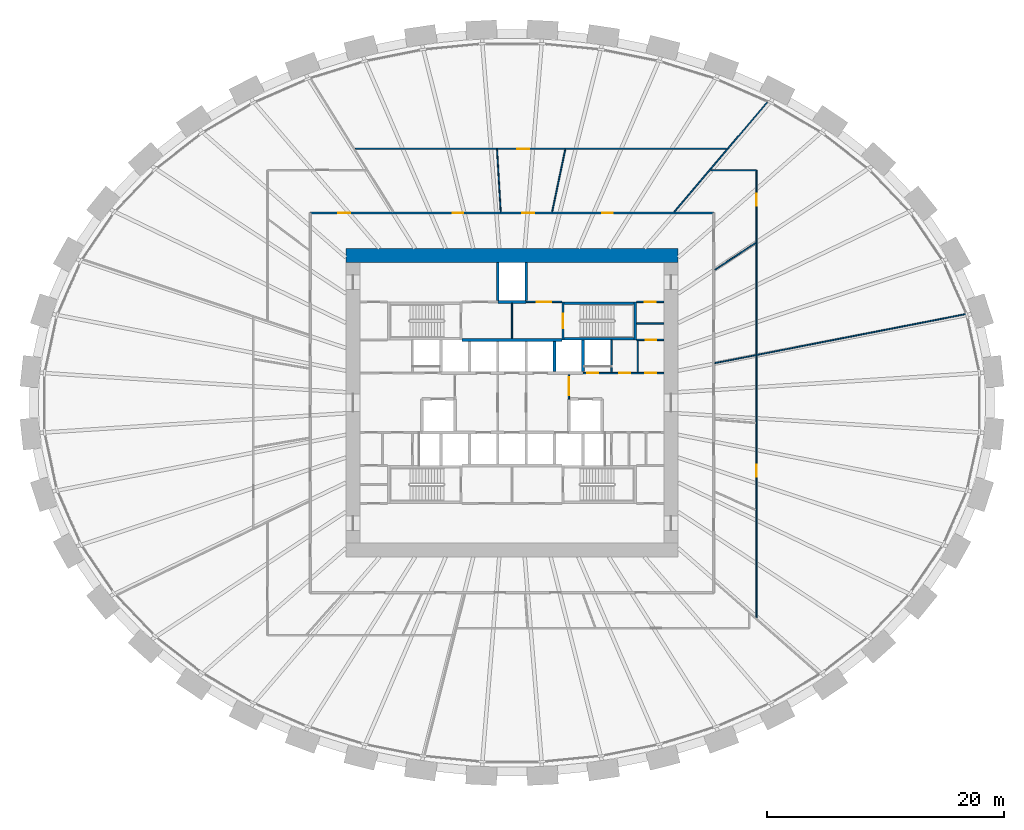
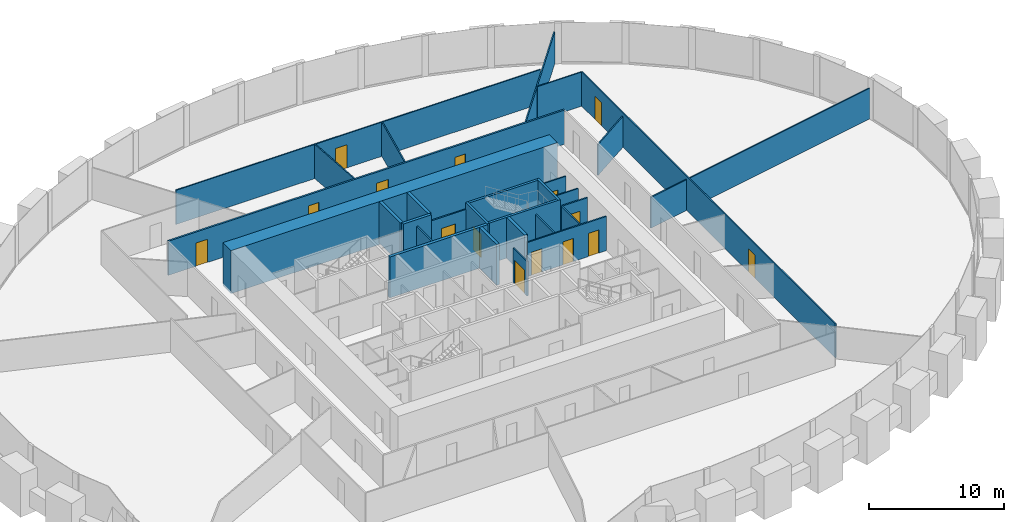
# One storey, part 9 of 11: 29 walls, 15 doors, 15 openings.
"""IFC4 building model written with IfcOpenShell, lengths in metres."""

from ifc_helpers import new_model, si_unit, direction, frame, frame_2d, origin, place, context, subcontext, project, spatial, rectangle, extrude, source, transform, mapped, material, layer, layer_set, type_object, element, fill, save


model = new_model("IFC4")

# Units and contexts
model_context = context("Model", 3, precision=1e-05, world=origin(), true_north=direction((0.0, 1.0)))
body_context = subcontext(model_context, "Body", "Model", "MODEL_VIEW")
ifc_project = project(units=[si_unit("LENGTHUNIT", "METRE"), si_unit("AREAUNIT", "SQUARE_METRE"), si_unit("VOLUMEUNIT", "CUBIC_METRE"), si_unit("PLANEANGLEUNIT", "RADIAN"), si_unit("MASSUNIT", "GRAM", prefix="KILO")], contexts=[model_context])

# Site, building, storey
site_placement = place(None, origin())
site = spatial("IfcSite", under=ifc_project, at=site_placement, CompositionType="ELEMENT")
building_placement = place(site_placement, origin())
building = spatial("IfcBuilding", under=site, at=building_placement, Name="Embergate Tower", CompositionType="ELEMENT")
storey_placement = place(building_placement, frame((0.0, 0.0, 62.0)))
storey = spatial("IfcBuildingStorey", under=building, at=storey_placement, Name="L11", CompositionType="ELEMENT", Elevation=62.0)

# Walls
ifc_material_1 = material(Name="Concrete C80", Category="concrete")
ifc_layer_1 = layer(ifc_material_1, 1.199951171875)
ifc_layer_set_1 = layer_set([ifc_layer_1], Name="Concrete C80")
wall_type_1 = type_object("IfcWallType", Name="Core outer wall C80 1200", PredefinedType="SHEAR", material=ifc_layer_set_1)
shared_shape_1 = source(origin(), body_context, "Body", "SweptSolid", [
    extrude(rectangle(XDim=28.0, YDim=1.199951171875, at=frame_2d((14.0, 0.0))), origin(), (0.0, 0.0, 1.0), 3.89990234375),
])
wall_1_placement = place(storey_placement, frame((-14.0, 12.39990234375, -0.199951171875), z_axis=(0.0, 0.0, 1.0), x_axis=(1.0, 0.0, 0.0)))
element("IfcWall", 1, at=wall_1_placement, inside=storey, type_object=wall_type_1, Name="CW-L11-N", PredefinedType="SHEAR", context=body_context, shape_type="MappedRepresentation", body=[
    mapped(shared_shape_1, transform((0.0, 0.0, 0.0))),
])
ifc_material_2 = material(Name="Concrete C50", Category="concrete")
ifc_layer_2 = layer(ifc_material_2, 0.25)
ifc_layer_set_2 = layer_set([ifc_layer_2], Name="Concrete C50")
wall_type_2 = type_object("IfcWallType", Name="Hoistway wall reinforced concrete 250", PredefinedType="SHEAR", material=ifc_layer_set_2)
shared_shape_2 = source(origin(), body_context, "Body", "SweptSolid", [
    extrude(rectangle(XDim=2.675048828125, YDim=0.25, at=frame_2d((1.33740234375, 0.0))), origin(), (0.0, 0.0, 1.0), 3.699951171875),
])
wall_2_placement = place(storey_placement, frame((6.0, 2.625, 0.0), z_axis=(0.0, 0.0, 1.0), x_axis=(0.0, 1.0, 0.0)))
element("IfcWall", 2, at=wall_2_placement, inside=storey, type_object=wall_type_2, Name="HW-1 wall", PredefinedType="SHEAR", context=body_context, shape_type="MappedRepresentation", body=[
    mapped(shared_shape_2, transform((0.0, 0.0, 0.0))),
])

# Wall, openings, doors
ifc_material_3 = material(Name="Core partition blockwork 120")
ifc_layer_3 = layer(ifc_material_3, 0.1201171875)
ifc_layer_set_3 = layer_set([ifc_layer_3], Name="Core partition blockwork 120")
wall_type_3 = type_object("IfcWallType", Name="Core partition blockwork 120", PredefinedType="PARTITIONING", material=ifc_layer_set_3)
shared_shape_3 = source(origin(), body_context, "Body", "SweptSolid", [
    extrude(rectangle(XDim=6.800048828125, YDim=0.1201171875, at=frame_2d((3.39990234375, 0.0))), origin(), (0.0, 0.0, 1.0), 3.10009765625),
])
wall_3_placement = place(storey_placement, frame((6.0, 2.5, 0.0), z_axis=(0.0, 0.0, 1.0), x_axis=(1.0, 0.0, 0.0)))
wall_3 = element("IfcWall", 3, at=wall_3_placement, inside=storey, type_object=wall_type_3, Name="IP-3 wall", PredefinedType="PARTITIONING", context=body_context, shape_type="MappedRepresentation", body=[
    mapped(shared_shape_3, transform((0.0, 0.0, 0.0))),
])
shared_shape_4 = source(origin(), body_context, "Body", "SweptSolid", [
    extrude(rectangle(XDim=0.89990234375, YDim=2.10009765625, at=frame_2d((0.449951171875, 1.050048828125))), frame((0.0, 0.070068359375, 0.0), z_axis=(0.0, -1.0, 0.0), x_axis=(1.0, 0.0, 0.0)), (0.0, 0.0, 1.0), 0.14013671875),
])
opening_1_placement = place(wall_3_placement, frame((0.35009765625, 0.0, 0.0)))
opening_1 = element("IfcOpeningElement", 4, at=opening_1_placement, cuts=wall_3, Name="Opening ID-1", PredefinedType="OPENING", context=body_context, shape_type="MappedRepresentation", body=[
    mapped(shared_shape_4, transform((0.0, 0.0, 0.0))),
])
opening_2_placement = place(wall_3_placement, frame((3.050048828125, 0.0, 0.0)))
opening_2 = element("IfcOpeningElement", 5, at=opening_2_placement, cuts=wall_3, Name="Opening ID-1", PredefinedType="OPENING", context=body_context, shape_type="MappedRepresentation", body=[
    mapped(shared_shape_4, transform((0.0, 0.0, 0.0))),
])
opening_3_placement = place(wall_3_placement, frame((5.25, 0.0, 0.0)))
opening_3 = element("IfcOpeningElement", 6, at=opening_3_placement, cuts=wall_3, Name="Opening ID-1", PredefinedType="OPENING", context=body_context, shape_type="MappedRepresentation", body=[
    mapped(shared_shape_4, transform((0.0, 0.0, 0.0))),
])
ifc_material_4 = material(Name="Interior door 900")
door_type_1 = type_object("IfcDoorType", Name="Interior door 900", OperationType="SINGLE_SWING_LEFT", PredefinedType="DOOR", material=ifc_material_4)
shared_shape_5 = source(origin(), body_context, "Body", "SweptSolid", [
    extrude(rectangle(XDim=0.89990234375, YDim=2.10009765625, at=frame_2d((0.449951171875, 1.050048828125))), frame((0.0, 0.02490234375, 0.0), z_axis=(0.0, -1.0, 0.0), x_axis=(1.0, 0.0, 0.0)), (0.0, 0.0, 1.0), 0.050048828125),
])
door_1_placement = place(opening_1_placement, origin())
door_1 = element("IfcDoor", 7, at=door_1_placement, inside=storey, type_object=door_type_1, Name="ID-1 door", OperationType="SINGLE_SWING_LEFT", OverallHeight=2.10009765625, OverallWidth=0.89990234375, PredefinedType="DOOR", context=body_context, shape_type="MappedRepresentation", body=[
    mapped(shared_shape_5, transform((0.0, 0.0, 0.0))),
])
fill(opening_1, door_1)
door_2_placement = place(opening_2_placement, origin())
door_2 = element("IfcDoor", 8, at=door_2_placement, inside=storey, type_object=door_type_1, Name="ID-1 door", OperationType="SINGLE_SWING_RIGHT", OverallHeight=2.10009765625, OverallWidth=0.89990234375, PredefinedType="DOOR", context=body_context, shape_type="MappedRepresentation", body=[
    mapped(shared_shape_5, transform((0.0, 0.0, 0.0))),
])
fill(opening_2, door_2)
door_3_placement = place(opening_3_placement, origin())
door_3 = element("IfcDoor", 9, at=door_3_placement, inside=storey, type_object=door_type_1, Name="ID-1 door", OperationType="SINGLE_SWING_RIGHT", OverallHeight=2.10009765625, OverallWidth=0.89990234375, PredefinedType="DOOR", context=body_context, shape_type="MappedRepresentation", body=[
    mapped(shared_shape_5, transform((0.0, 0.0, 0.0))),
])
fill(opening_3, door_3)

# Walls
ifc_layer_4 = layer(ifc_material_2, 0.199951171875)
ifc_layer_set_4 = layer_set([ifc_layer_4], Name="Concrete C50")
wall_type_4 = type_object("IfcWallType", Name="Stair enclosure wall reinforced concrete 250", PredefinedType="SHEAR", material=ifc_layer_set_4)
shared_shape_6 = source(origin(), body_context, "Body", "SweptSolid", [
    extrude(rectangle(XDim=6.300048828125, YDim=0.199951171875, at=frame_2d((3.14990234375, 0.0))), origin(), (0.0, 0.0, 1.0), 3.699951171875),
])
for number, where, z_axis, x_axis, name in (
    (10, (10.5, 5.39990234375, 0.0), (0.0, 0.0, 1.0), (-1.0, 0.0, 0.0), "SE-1 wall"),
    (11, (10.5, 8.39990234375, 0.0), (0.0, 0.0, 1.0), (-1.0, 0.0, 0.0), "SE-1 wall"),
):
    element("IfcWall", number, at=place(storey_placement, frame(where, z_axis=z_axis, x_axis=x_axis)), inside=storey, type_object=wall_type_4, Name=name, PredefinedType="SHEAR", context=body_context, shape_type="MappedRepresentation", body=[
        mapped(shared_shape_6, transform((0.0, 0.0, 0.0))),
    ])
shared_shape_7 = source(origin(), body_context, "Body", "SweptSolid", [
    extrude(rectangle(XDim=2.739990234375, YDim=0.1201171875, at=frame_2d((1.3701171875, 0.0))), origin(), (0.0, 0.0, 1.0), 3.10009765625),
])
wall_4_placement = place(storey_placement, frame((8.39990234375, 2.56005859375, 0.0), z_axis=(0.0, 0.0, 1.0), x_axis=(0.0, 1.0, 0.0)))
element("IfcWall", 12, at=wall_4_placement, inside=storey, type_object=wall_type_3, Name="IP-3 wall", PredefinedType="PARTITIONING", context=body_context, shape_type="MappedRepresentation", body=[
    mapped(shared_shape_7, transform((0.0, 0.0, 0.0))),
])
shared_shape_8 = source(origin(), body_context, "Body", "SweptSolid", [
    extrude(rectangle(XDim=2.550048828125, YDim=0.25, at=frame_2d((1.27490234375, 0.0))), origin(), (0.0, 0.0, 1.0), 3.699951171875),
])
wall_5_placement = place(storey_placement, frame((3.60009765625, 2.625, 0.0), z_axis=(0.0, 0.0, 1.0), x_axis=(0.0, 1.0, 0.0)))
element("IfcWall", 13, at=wall_5_placement, inside=storey, type_object=wall_type_2, Name="HW-1 wall", PredefinedType="SHEAR", context=body_context, shape_type="MappedRepresentation", body=[
    mapped(shared_shape_8, transform((0.0, 0.0, 0.0))),
])
shared_shape_9 = source(origin(), body_context, "Body", "SweptSolid", [
    extrude(rectangle(XDim=8.39990234375, YDim=0.25, at=frame_2d((4.199951171875, 0.0))), origin(), (0.0, 0.0, 1.0), 3.699951171875),
])
wall_6_placement = place(storey_placement, frame((4.199951171875, 5.300048828125, 0.0), z_axis=(0.0, 0.0, 1.0), x_axis=(-1.0, 0.0, 0.0)))
element("IfcWall", 14, at=wall_6_placement, inside=storey, type_object=wall_type_2, Name="HW-1 wall", PredefinedType="SHEAR", context=body_context, shape_type="MappedRepresentation", body=[
    mapped(shared_shape_9, transform((0.0, 0.0, 0.0))),
])

# Wall, opening, door
shared_shape_10 = source(origin(), body_context, "Body", "SweptSolid", [
    extrude(rectangle(XDim=2.074951171875, YDim=0.1201171875, at=frame_2d((1.03759765625, 0.0))), origin(), (0.0, 0.0, 1.0), 3.10009765625),
])
wall_7_placement = place(storey_placement, frame((4.800048828125, 0.300048828125, 0.0), z_axis=(0.0, 0.0, 1.0), x_axis=(0.0, 1.0, 0.0)))
wall_7 = element("IfcWall", 15, at=wall_7_placement, inside=storey, type_object=wall_type_3, Name="IP-3 wall", PredefinedType="PARTITIONING", context=body_context, shape_type="MappedRepresentation", body=[
    mapped(shared_shape_10, transform((0.0, 0.0, 0.0))),
])
shared_shape_11 = source(origin(), body_context, "Body", "SweptSolid", [
    extrude(rectangle(XDim=1.5, YDim=2.10009765625, at=frame_2d((0.75, 1.050048828125))), frame((0.0, 0.070068359375, 0.0), z_axis=(0.0, -1.0, 0.0), x_axis=(1.0, 0.0, 0.0)), (0.0, 0.0, 1.0), 0.14013671875),
])
opening_4_placement = place(wall_7_placement, frame((0.35009765625, 0.0, 0.0)))
opening_4 = element("IfcOpeningElement", 16, at=opening_4_placement, cuts=wall_7, Name="Opening IF-3", PredefinedType="OPENING", context=body_context, shape_type="MappedRepresentation", body=[
    mapped(shared_shape_11, transform((0.0, 0.0, 0.0))),
])
ifc_material_5 = material(Name="Lobby fire door pair 1500")
door_type_2 = type_object("IfcDoorType", Name="Lobby fire door pair 1500", OperationType="DOUBLE_DOOR_SINGLE_SWING", PredefinedType="DOOR", material=ifc_material_5)
shared_shape_12 = source(origin(), body_context, "Body", "SweptSolid", [
    extrude(rectangle(XDim=1.5, YDim=2.10009765625, at=frame_2d((0.75, 1.050048828125))), frame((0.0, 0.02490234375, 0.0), z_axis=(0.0, -1.0, 0.0), x_axis=(1.0, 0.0, 0.0)), (0.0, 0.0, 1.0), 0.050048828125),
])
door_4_placement = place(opening_4_placement, origin())
door_4 = element("IfcDoor", 17, at=door_4_placement, inside=storey, type_object=door_type_2, Name="IF-3 door", OperationType="DOUBLE_DOOR_SINGLE_SWING", OverallHeight=2.10009765625, OverallWidth=1.5, PredefinedType="DOOR", context=body_context, shape_type="MappedRepresentation", body=[
    mapped(shared_shape_12, transform((0.0, 0.0, 0.0))),
])
fill(opening_4, door_4)

shared_shape_13 = source(origin(), body_context, "Body", "SweptSolid", [
    extrude(rectangle(XDim=3.199951171875, YDim=0.199951171875, at=frame_2d((1.60009765625, 0.0))), origin(), (0.0, 0.0, 1.0), 3.699951171875),
])
wall_8_placement = place(storey_placement, frame((4.300048828125, 8.5, 0.0), z_axis=(0.0, 0.0, 1.0), x_axis=(0.0, -1.0, 0.0)))
wall_8 = element("IfcWall", 18, at=wall_8_placement, inside=storey, type_object=wall_type_4, Name="SE-1 wall", PredefinedType="SHEAR", context=body_context, shape_type="MappedRepresentation", body=[
    mapped(shared_shape_13, transform((0.0, 0.0, 0.0))),
])
shared_shape_14 = source(origin(), body_context, "Body", "SweptSolid", [
    extrude(rectangle(XDim=1.199951171875, YDim=2.10009765625, at=frame_2d((0.60009765625, 1.050048828125))), frame((0.0, 0.10986328125, 0.0), z_axis=(0.0, -1.0, 0.0), x_axis=(1.0, 0.0, 0.0)), (0.0, 0.0, 1.0), 0.219970703125),
])
opening_5_placement = place(wall_8_placement, frame((1.0, 0.0, 0.0)))
opening_5 = element("IfcOpeningElement", 19, at=opening_5_placement, cuts=wall_8, Name="Opening IF-2", PredefinedType="OPENING", context=body_context, shape_type="MappedRepresentation", body=[
    mapped(shared_shape_14, transform((0.0, 0.0, 0.0))),
])
ifc_material_6 = material(Name="Stair enclosure door 1200")
door_type_3 = type_object("IfcDoorType", Name="Stair enclosure door 1200", OperationType="SINGLE_SWING_LEFT", PredefinedType="DOOR", material=ifc_material_6)
shared_shape_15 = source(origin(), body_context, "Body", "SweptSolid", [
    extrude(rectangle(XDim=1.199951171875, YDim=2.10009765625, at=frame_2d((0.60009765625, 1.050048828125))), frame((0.0, 0.02490234375, 0.0), z_axis=(0.0, -1.0, 0.0), x_axis=(1.0, 0.0, 0.0)), (0.0, 0.0, 1.0), 0.050048828125),
])
door_5_placement = place(opening_5_placement, origin())
door_5 = element("IfcDoor", 20, at=door_5_placement, inside=storey, type_object=door_type_3, Name="IF-2 door", OperationType="SINGLE_SWING_RIGHT", OverallHeight=2.10009765625, OverallWidth=1.199951171875, PredefinedType="DOOR", context=body_context, shape_type="MappedRepresentation", body=[
    mapped(shared_shape_15, transform((0.0, 0.0, 0.0))),
])
fill(opening_5, door_5)

# Walls
wall_9_placement = place(storey_placement, frame((10.39990234375, 5.300048828125, 0.0), z_axis=(0.0, 0.0, 1.0), x_axis=(0.0, 1.0, 0.0)))
element("IfcWall", 21, at=wall_9_placement, inside=storey, type_object=wall_type_4, Name="SE-1 wall", PredefinedType="SHEAR", context=body_context, shape_type="MappedRepresentation", body=[
    mapped(shared_shape_13, transform((0.0, 0.0, 0.0))),
])
shared_shape_16 = source(origin(), body_context, "Body", "SweptSolid", [
    extrude(rectangle(XDim=2.949951171875, YDim=0.1201171875, at=frame_2d((1.47509765625, 0.0))), origin(), (0.0, 0.0, 1.0), 3.10009765625),
])
wall_10_placement = place(storey_placement, frame((0.0, 5.425048828125, 0.0), z_axis=(0.0, 0.0, 1.0), x_axis=(0.0, 1.0, 0.0)))
element("IfcWall", 22, at=wall_10_placement, inside=storey, type_object=wall_type_3, Name="IP-3 wall", PredefinedType="PARTITIONING", context=body_context, shape_type="MappedRepresentation", body=[
    mapped(shared_shape_16, transform((0.0, 0.0, 0.0))),
])

# Wall, opening, door
shared_shape_17 = source(origin(), body_context, "Body", "SweptSolid", [
    extrude(rectangle(XDim=3.0, YDim=0.1201171875, at=frame_2d((1.5, 0.0))), origin(), (0.0, 0.0, 1.0), 3.10009765625),
])
wall_11_placement = place(storey_placement, frame((4.199951171875, 8.5, 0.0), z_axis=(0.0, 0.0, 1.0), x_axis=(-1.0, 0.0, 0.0)))
wall_11 = element("IfcWall", 23, at=wall_11_placement, inside=storey, type_object=wall_type_3, Name="IP-3 wall", PredefinedType="PARTITIONING", context=body_context, shape_type="MappedRepresentation", body=[
    mapped(shared_shape_17, transform((0.0, 0.0, 0.0))),
])
shared_shape_18 = source(origin(), body_context, "Body", "SweptSolid", [
    extrude(rectangle(XDim=1.199951171875, YDim=2.10009765625, at=frame_2d((0.60009765625, 1.050048828125))), frame((0.0, 0.070068359375, 0.0), z_axis=(0.0, -1.0, 0.0), x_axis=(1.0, 0.0, 0.0)), (0.0, 0.0, 1.0), 0.14013671875),
])
opening_6_placement = place(wall_11_placement, frame((0.89990234375, 0.0, 0.0)))
opening_6 = element("IfcOpeningElement", 24, at=opening_6_placement, cuts=wall_11, Name="Opening IF-3f", PredefinedType="OPENING", context=body_context, shape_type="MappedRepresentation", body=[
    mapped(shared_shape_18, transform((0.0, 0.0, 0.0))),
])
ifc_material_7 = material(Name="Lobby fire door pair 1200")
door_type_4 = type_object("IfcDoorType", Name="Lobby fire door pair 1200", OperationType="DOUBLE_DOOR_SINGLE_SWING", PredefinedType="DOOR", material=ifc_material_7)
door_6_placement = place(opening_6_placement, origin())
door_6 = element("IfcDoor", 25, at=door_6_placement, inside=storey, type_object=door_type_4, Name="IF-3 door", OperationType="DOUBLE_DOOR_SINGLE_SWING", OverallHeight=2.10009765625, OverallWidth=1.199951171875, PredefinedType="DOOR", context=body_context, shape_type="MappedRepresentation", body=[
    mapped(shared_shape_15, transform((0.0, 0.0, 0.0))),
])
fill(opening_6, door_6)

# Walls
shared_shape_19 = source(origin(), body_context, "Body", "SweptSolid", [
    extrude(rectangle(XDim=2.39990234375, YDim=0.25, at=frame_2d((1.199951171875, 0.0))), origin(), (0.0, 0.0, 1.0), 3.699951171875),
])
wall_12_placement = place(storey_placement, frame((1.199951171875, 8.5, 0.0), z_axis=(0.0, 0.0, 1.0), x_axis=(-1.0, 0.0, 0.0)))
element("IfcWall", 26, at=wall_12_placement, inside=storey, type_object=wall_type_2, Name="HW-1 wall", PredefinedType="SHEAR", context=body_context, shape_type="MappedRepresentation", body=[
    mapped(shared_shape_19, transform((0.0, 0.0, 0.0))),
])
shared_shape_20 = source(origin(), body_context, "Body", "SweptSolid", [
    extrude(rectangle(XDim=3.175048828125, YDim=0.25, at=frame_2d((1.58740234375, 0.0))), origin(), (0.0, 0.0, 1.0), 3.699951171875),
])
for number, where, z_axis, x_axis, name in (
    (27, (-1.199951171875, 8.625, 0.0), (0.0, 0.0, 1.0), (0.0, 1.0, 0.0), "HW-1 wall"),
    (28, (1.199951171875, 11.800048828125, 0.0), (0.0, 0.0, 1.0), (0.0, -1.0, 0.0), "HW-1 wall"),
):
    element("IfcWall", number, at=place(storey_placement, frame(where, z_axis=z_axis, x_axis=x_axis)), inside=storey, type_object=wall_type_2, Name=name, PredefinedType="SHEAR", context=body_context, shape_type="MappedRepresentation", body=[
        mapped(shared_shape_20, transform((0.0, 0.0, 0.0))),
    ])

# Wall, opening, door
shared_shape_21 = source(origin(), body_context, "Body", "SweptSolid", [
    extrude(rectangle(XDim=2.300048828125, YDim=0.1201171875, at=frame_2d((1.14990234375, 0.0))), origin(), (0.0, 0.0, 1.0), 3.10009765625),
])
wall_13_placement = place(storey_placement, frame((10.5, 8.5, 0.0), z_axis=(0.0, 0.0, 1.0), x_axis=(1.0, 0.0, 0.0)))
wall_13 = element("IfcWall", 29, at=wall_13_placement, inside=storey, type_object=wall_type_3, Name="IP-3 wall", PredefinedType="PARTITIONING", context=body_context, shape_type="MappedRepresentation", body=[
    mapped(shared_shape_21, transform((0.0, 0.0, 0.0))),
])
opening_7_placement = place(wall_13_placement, frame((0.699951171875, 0.0, 0.0)))
opening_7 = element("IfcOpeningElement", 30, at=opening_7_placement, cuts=wall_13, Name="Opening ID-1", PredefinedType="OPENING", context=body_context, shape_type="MappedRepresentation", body=[
    mapped(shared_shape_4, transform((0.0, 0.0, 0.0))),
])
door_7_placement = place(opening_7_placement, origin())
door_7 = element("IfcDoor", 31, at=door_7_placement, inside=storey, type_object=door_type_1, Name="ID-1 door", OperationType="SINGLE_SWING_LEFT", OverallHeight=2.10009765625, OverallWidth=0.89990234375, PredefinedType="DOOR", context=body_context, shape_type="MappedRepresentation", body=[
    mapped(shared_shape_5, transform((0.0, 0.0, 0.0))),
])
fill(opening_7, door_7)

wall_14_placement = place(storey_placement, frame((12.800048828125, 5.300048828125, 0.0), z_axis=(0.0, 0.0, 1.0), x_axis=(-1.0, 0.0, 0.0)))
wall_14 = element("IfcWall", 32, at=wall_14_placement, inside=storey, type_object=wall_type_3, Name="IP-3 wall", PredefinedType="PARTITIONING", context=body_context, shape_type="MappedRepresentation", body=[
    mapped(shared_shape_21, transform((0.0, 0.0, 0.0))),
])
opening_8_placement = place(wall_14_placement, frame((0.64990234375, 0.0, 0.0)))
opening_8 = element("IfcOpeningElement", 33, at=opening_8_placement, cuts=wall_14, Name="Opening ID-1", PredefinedType="OPENING", context=body_context, shape_type="MappedRepresentation", body=[
    mapped(shared_shape_4, transform((0.0, 0.0, 0.0))),
])
door_8_placement = place(opening_8_placement, origin())
door_8 = element("IfcDoor", 34, at=door_8_placement, inside=storey, type_object=door_type_1, Name="ID-1 door", OperationType="SINGLE_SWING_RIGHT", OverallHeight=2.10009765625, OverallWidth=0.89990234375, PredefinedType="DOOR", context=body_context, shape_type="MappedRepresentation", body=[
    mapped(shared_shape_5, transform((0.0, 0.0, 0.0))),
])
fill(opening_8, door_8)

# Walls
wall_15_placement = place(storey_placement, frame((12.800048828125, 6.676025390625, 0.0), z_axis=(0.0, 0.0, 1.0), x_axis=(-1.0, 0.0, 0.0)))
element("IfcWall", 35, at=wall_15_placement, inside=storey, type_object=wall_type_3, Name="IP-3 wall", PredefinedType="PARTITIONING", context=body_context, shape_type="MappedRepresentation", body=[
    mapped(shared_shape_21, transform((0.0, 0.0, 0.0))),
])
shared_shape_22 = source(origin(), body_context, "Body", "SweptSolid", [
    extrude(rectangle(XDim=2.679931640625, YDim=0.1201171875, at=frame_2d((1.33984375, 0.0))), origin(), (0.0, 0.0, 1.0), 3.10009765625),
])
wall_16_placement = place(storey_placement, frame((10.60009765625, 2.56005859375, 0.0), z_axis=(0.0, 0.0, 1.0), x_axis=(0.0, 1.0, 0.0)))
element("IfcWall", 36, at=wall_16_placement, inside=storey, type_object=wall_type_3, Name="IP-3 wall", PredefinedType="PARTITIONING", context=body_context, shape_type="MappedRepresentation", body=[
    mapped(shared_shape_22, transform((0.0, 0.0, 0.0))),
])
ifc_material_8 = material(Name="Partition dry-lined 100")
ifc_layer_5 = layer(ifc_material_8, 0.10009765625)
ifc_layer_set_5 = layer_set([ifc_layer_5], Name="Partition dry-lined 100")
wall_type_5 = type_object("IfcWallType", Name="Partition dry-lined 100", PredefinedType="PARTITIONING", material=ifc_layer_set_5)
shared_shape_23 = source(origin(), body_context, "Body", "SweptSolid", [
    extrude(rectangle(XDim=12.176025390625, YDim=0.10009765625, at=frame_2d((6.087890625, 0.0))), origin(), (0.0, 0.0, 1.0), 2.89990234375),
])
wall_17_placement = place(storey_placement, frame((21.56591796875, 25.386962890625, 0.0), z_axis=(0.0, 0.0, 1.0), x_axis=(-0.647399860631, -0.76215052349, 0.0)))
element("IfcWall", 37, at=wall_17_placement, inside=storey, type_object=wall_type_5, Name="IP-1 wall", PredefinedType="PARTITIONING", context=body_context, shape_type="MappedRepresentation", body=[
    mapped(shared_shape_23, transform((0.0, 0.0, 0.0))),
])

# Wall, openings, doors
ifc_material_9 = material(Name="Corridor wall dry-lined 150")
ifc_layer_6 = layer(ifc_material_9, 0.14990234375)
ifc_layer_set_6 = layer_set([ifc_layer_6], Name="Corridor wall dry-lined 150")
wall_type_6 = type_object("IfcWallType", Name="Corridor wall dry-lined 150", PredefinedType="PARTITIONING", material=ifc_layer_set_6)
shared_shape_24 = source(origin(), body_context, "Body", "SweptSolid", [
    extrude(rectangle(XDim=34.0, YDim=0.14990234375, at=frame_2d((17.0, 0.0))), origin(), (0.0, 0.0, 1.0), 3.10009765625),
])
wall_18_placement = place(storey_placement, frame((-17.0, 16.0, 0.0), z_axis=(0.0, 0.0, 1.0), x_axis=(1.0, 0.0, 0.0)))
wall_18 = element("IfcWall", 38, at=wall_18_placement, inside=storey, type_object=wall_type_6, Name="IP-2 wall", PredefinedType="PARTITIONING", context=body_context, shape_type="MappedRepresentation", body=[
    mapped(shared_shape_24, transform((0.0, 0.0, 0.0))),
])
shared_shape_25 = source(origin(), body_context, "Body", "SweptSolid", [
    extrude(rectangle(XDim=0.89990234375, YDim=2.10009765625, at=frame_2d((0.449951171875, 1.050048828125))), frame((0.0, 0.0849609375, 0.0), z_axis=(0.0, -1.0, 0.0), x_axis=(1.0, 0.0, 0.0)), (0.0, 0.0, 1.0), 0.169921875),
])
opening_9_placement = place(wall_18_placement, frame((24.591064453125, 0.0, 0.0)))
opening_9 = element("IfcOpeningElement", 39, at=opening_9_placement, cuts=wall_18, Name="Opening IF-1c", PredefinedType="OPENING", context=body_context, shape_type="MappedRepresentation", body=[
    mapped(shared_shape_25, transform((0.0, 0.0, 0.0))),
])
shared_shape_26 = source(origin(), body_context, "Body", "SweptSolid", [
    extrude(rectangle(XDim=1.0, YDim=2.10009765625, at=frame_2d((0.5, 1.050048828125))), frame((0.0, 0.0849609375, 0.0), z_axis=(0.0, -1.0, 0.0), x_axis=(1.0, 0.0, 0.0)), (0.0, 0.0, 1.0), 0.169921875),
])
opening_10_placement = place(wall_18_placement, frame((17.87109375, 0.0, 0.0)))
opening_10 = element("IfcOpeningElement", 40, at=opening_10_placement, cuts=wall_18, Name="Opening ID-2", PredefinedType="OPENING", context=body_context, shape_type="MappedRepresentation", body=[
    mapped(shared_shape_26, transform((0.0, 0.0, 0.0))),
])
opening_11_placement = place(wall_18_placement, frame((12.0048828125, 0.0, 0.0)))
opening_11 = element("IfcOpeningElement", 41, at=opening_11_placement, cuts=wall_18, Name="Opening IF-1c", PredefinedType="OPENING", context=body_context, shape_type="MappedRepresentation", body=[
    mapped(shared_shape_25, transform((0.0, 0.0, 0.0))),
])
opening_12_placement = place(wall_18_placement, frame((2.3740234375, 0.0, 0.0)))
opening_12 = element("IfcOpeningElement", 42, at=opening_12_placement, cuts=wall_18, Name="Opening ID-2", PredefinedType="OPENING", context=body_context, shape_type="MappedRepresentation", body=[
    mapped(shared_shape_26, transform((0.0, 0.0, 0.0))),
])
ifc_material_10 = material(Name="Escape fire door 900")
door_type_5 = type_object("IfcDoorType", Name="Escape fire door 900", OperationType="SINGLE_SWING_LEFT", PredefinedType="DOOR", material=ifc_material_10)
door_9_placement = place(opening_9_placement, origin())
door_9 = element("IfcDoor", 43, at=door_9_placement, inside=storey, type_object=door_type_5, Name="IF-1 door", OperationType="SINGLE_SWING_RIGHT", OverallHeight=2.10009765625, OverallWidth=0.89990234375, PredefinedType="DOOR", context=body_context, shape_type="MappedRepresentation", body=[
    mapped(shared_shape_5, transform((0.0, 0.0, 0.0))),
])
fill(opening_9, door_9)
door_10_placement = place(opening_11_placement, origin())
door_10 = element("IfcDoor", 44, at=door_10_placement, inside=storey, type_object=door_type_5, Name="IF-1 door", OperationType="SINGLE_SWING_RIGHT", OverallHeight=2.10009765625, OverallWidth=0.89990234375, PredefinedType="DOOR", context=body_context, shape_type="MappedRepresentation", body=[
    mapped(shared_shape_5, transform((0.0, 0.0, 0.0))),
])
fill(opening_11, door_10)
ifc_material_11 = material(Name="Interior door 1000")
door_type_6 = type_object("IfcDoorType", Name="Interior door 1000", OperationType="SINGLE_SWING_LEFT", PredefinedType="DOOR", material=ifc_material_11)
shared_shape_27 = source(origin(), body_context, "Body", "SweptSolid", [
    extrude(rectangle(XDim=1.0, YDim=2.10009765625, at=frame_2d((0.5, 1.050048828125))), frame((0.0, 0.02490234375, 0.0), z_axis=(0.0, -1.0, 0.0), x_axis=(1.0, 0.0, 0.0)), (0.0, 0.0, 1.0), 0.050048828125),
])
door_11_placement = place(opening_10_placement, origin())
door_11 = element("IfcDoor", 45, at=door_11_placement, inside=storey, type_object=door_type_6, Name="ID-2 door", OperationType="SINGLE_SWING_RIGHT", OverallHeight=2.10009765625, OverallWidth=1.0, PredefinedType="DOOR", context=body_context, shape_type="MappedRepresentation", body=[
    mapped(shared_shape_27, transform((0.0, 0.0, 0.0))),
])
fill(opening_10, door_11)
door_12_placement = place(opening_12_placement, origin())
door_12 = element("IfcDoor", 46, at=door_12_placement, inside=storey, type_object=door_type_6, Name="ID-2 door", OperationType="SINGLE_SWING_LEFT", OverallHeight=2.10009765625, OverallWidth=1.0, PredefinedType="DOOR", context=body_context, shape_type="MappedRepresentation", body=[
    mapped(shared_shape_27, transform((0.0, 0.0, 0.0))),
])
fill(opening_12, door_12)

shared_shape_28 = source(origin(), body_context, "Body", "SweptSolid", [
    extrude(rectangle(XDim=37.7060546875, YDim=0.10009765625, at=frame_2d((18.85302734375, 0.0))), origin(), (0.0, 0.0, 1.0), 3.10009765625),
])
wall_19_placement = place(storey_placement, frame((20.60009765625, -18.10595703125, 0.0), z_axis=(0.0, 0.0, 1.0), x_axis=(0.0, 1.0, 0.0)))
wall_19 = element("IfcWall", 47, at=wall_19_placement, inside=storey, type_object=wall_type_5, Name="IP-1 wall", PredefinedType="PARTITIONING", context=body_context, shape_type="MappedRepresentation", body=[
    mapped(shared_shape_28, transform((0.0, 0.0, 0.0))),
])
shared_shape_29 = source(origin(), body_context, "Body", "SweptSolid", [
    extrude(rectangle(XDim=1.0, YDim=2.10009765625, at=frame_2d((0.5, 1.050048828125))), frame((0.0, 0.06005859375, 0.0), z_axis=(0.0, -1.0, 0.0), x_axis=(1.0, 0.0, 0.0)), (0.0, 0.0, 1.0), 0.1201171875),
])
opening_13_placement = place(wall_19_placement, frame((11.885009765625, 0.0, 0.0)))
opening_13 = element("IfcOpeningElement", 48, at=opening_13_placement, cuts=wall_19, Name="Opening ID-2", PredefinedType="OPENING", context=body_context, shape_type="MappedRepresentation", body=[
    mapped(shared_shape_29, transform((0.0, 0.0, 0.0))),
])
opening_14_placement = place(wall_19_placement, frame((34.698974609375, 0.0, 0.0)))
opening_14 = element("IfcOpeningElement", 49, at=opening_14_placement, cuts=wall_19, Name="Opening ID-2", PredefinedType="OPENING", context=body_context, shape_type="MappedRepresentation", body=[
    mapped(shared_shape_29, transform((0.0, 0.0, 0.0))),
])
door_13_placement = place(opening_13_placement, origin())
door_13 = element("IfcDoor", 50, at=door_13_placement, inside=storey, type_object=door_type_6, Name="ID-2 door", OperationType="SINGLE_SWING_RIGHT", OverallHeight=2.10009765625, OverallWidth=1.0, PredefinedType="DOOR", context=body_context, shape_type="MappedRepresentation", body=[
    mapped(shared_shape_27, transform((0.0, 0.0, 0.0))),
])
fill(opening_13, door_13)
door_14_placement = place(opening_14_placement, origin())
door_14 = element("IfcDoor", 51, at=door_14_placement, inside=storey, type_object=door_type_6, Name="ID-2 door", OperationType="SINGLE_SWING_RIGHT", OverallHeight=2.10009765625, OverallWidth=1.0, PredefinedType="DOOR", context=body_context, shape_type="MappedRepresentation", body=[
    mapped(shared_shape_27, transform((0.0, 0.0, 0.0))),
])
fill(opening_14, door_14)

# Walls
shared_shape_30 = source(origin(), body_context, "Body", "SweptSolid", [
    extrude(rectangle(XDim=21.60498046875, YDim=0.10009765625, at=frame_2d((10.802490234375, 0.0))), origin(), (0.0, 0.0, 1.0), 2.800048828125),
])
wall_20_placement = place(storey_placement, frame((38.2890625, 7.48095703125, 0.0), z_axis=(0.0, 0.0, 1.0), x_axis=(-0.98144113654, -0.191763644903, 0.0)))
element("IfcWall", 52, at=wall_20_placement, inside=storey, type_object=wall_type_5, Name="IP-1 wall", PredefinedType="PARTITIONING", context=body_context, shape_type="MappedRepresentation", body=[
    mapped(shared_shape_30, transform((0.0, 0.0, 0.0))),
])
shared_shape_31 = source(origin(), body_context, "Body", "SweptSolid", [
    extrude(rectangle(XDim=4.090576171875, YDim=0.10009765625, at=frame_2d((2.04541015625, 0.0))), origin(), (0.0, 0.0, 1.0), 2.800048828125),
])
wall_21_placement = place(storey_placement, frame((17.10205078125, 11.215087890625, 0.0), z_axis=(0.0, 0.0, 1.0), x_axis=(0.836277118034, 0.548307014229, 0.0)))
element("IfcWall", 53, at=wall_21_placement, inside=storey, type_object=wall_type_5, Name="IP-1 wall", PredefinedType="PARTITIONING", context=body_context, shape_type="MappedRepresentation", body=[
    mapped(shared_shape_31, transform((0.0, 0.0, 0.0))),
])
shared_shape_32 = source(origin(), body_context, "Body", "SweptSolid", [
    extrude(rectangle(XDim=3.842041015625, YDim=0.10009765625, at=frame_2d((1.9208984375, 0.0))), origin(), (0.0, 0.0, 1.0), 3.10009765625),
])
wall_22_placement = place(storey_placement, frame((20.60009765625, 19.60009765625, 0.0), z_axis=(0.0, 0.0, 1.0), x_axis=(-1.0, 0.0, 0.0)))
element("IfcWall", 54, at=wall_22_placement, inside=storey, type_object=wall_type_5, Name="IP-1 wall", PredefinedType="PARTITIONING", context=body_context, shape_type="MappedRepresentation", body=[
    mapped(shared_shape_32, transform((0.0, 0.0, 0.0))),
])
shared_shape_33 = source(origin(), body_context, "Body", "SweptSolid", [
    extrude(rectangle(XDim=5.3701171875, YDim=0.10009765625, at=frame_2d((2.68505859375, 0.0))), origin(), (0.0, 0.0, 1.0), 3.10009765625),
])
wall_23_placement = place(storey_placement, frame((3.381103515625, 16.0849609375, 0.0), z_axis=(0.0, 0.0, 1.0), x_axis=(0.205767600964, 0.97860088616, 0.0)))
element("IfcWall", 55, at=wall_23_placement, inside=storey, type_object=wall_type_5, Name="IP-1 wall", PredefinedType="PARTITIONING", context=body_context, shape_type="MappedRepresentation", body=[
    mapped(shared_shape_33, transform((0.0, 0.0, 0.0))),
])

# Wall, opening, door
shared_shape_34 = source(origin(), body_context, "Body", "SweptSolid", [
    extrude(rectangle(XDim=31.280029296875, YDim=0.10009765625, at=frame_2d((15.64013671875, 0.0))), origin(), (0.0, 0.0, 1.0), 3.10009765625),
])
wall_24_placement = place(storey_placement, frame((18.071044921875, 21.39990234375, 0.0), z_axis=(0.0, 0.0, 1.0), x_axis=(-1.0, 0.0, 0.0)))
wall_24 = element("IfcWall", 56, at=wall_24_placement, inside=storey, type_object=wall_type_5, Name="IP-1 wall", PredefinedType="PARTITIONING", context=body_context, shape_type="MappedRepresentation", body=[
    mapped(shared_shape_34, transform((0.0, 0.0, 0.0))),
])
opening_15_placement = place(wall_24_placement, frame((16.6201171875, 0.0, 0.0)))
opening_15 = element("IfcOpeningElement", 57, at=opening_15_placement, cuts=wall_24, Name="Opening ID-2", PredefinedType="OPENING", context=body_context, shape_type="MappedRepresentation", body=[
    mapped(shared_shape_29, transform((0.0, 0.0, 0.0))),
])
door_15_placement = place(opening_15_placement, origin())
door_15 = element("IfcDoor", 58, at=door_15_placement, inside=storey, type_object=door_type_6, Name="ID-2 door", OperationType="SINGLE_SWING_LEFT", OverallHeight=2.10009765625, OverallWidth=1.0, PredefinedType="DOOR", context=body_context, shape_type="MappedRepresentation", body=[
    mapped(shared_shape_27, transform((0.0, 0.0, 0.0))),
])
fill(opening_15, door_15)

# Wall
shared_shape_35 = source(origin(), body_context, "Body", "SweptSolid", [
    extrude(rectangle(XDim=5.284423828125, YDim=0.10009765625, at=frame_2d((2.64208984375, 0.0))), origin(), (0.0, 0.0, 1.0), 3.10009765625),
])
wall_25_placement = place(storey_placement, frame((-0.949951171875, 16.074951171875, 0.0), z_axis=(0.0, 0.0, 1.0), x_axis=(-0.059044307581, 0.998255362992, 0.0)))
element("IfcWall", 59, at=wall_25_placement, inside=storey, type_object=wall_type_5, Name="IP-1 wall", PredefinedType="PARTITIONING", context=body_context, shape_type="MappedRepresentation", body=[
    mapped(shared_shape_35, transform((0.0, 0.0, 0.0))),
])

save(model, "model.ifc")
